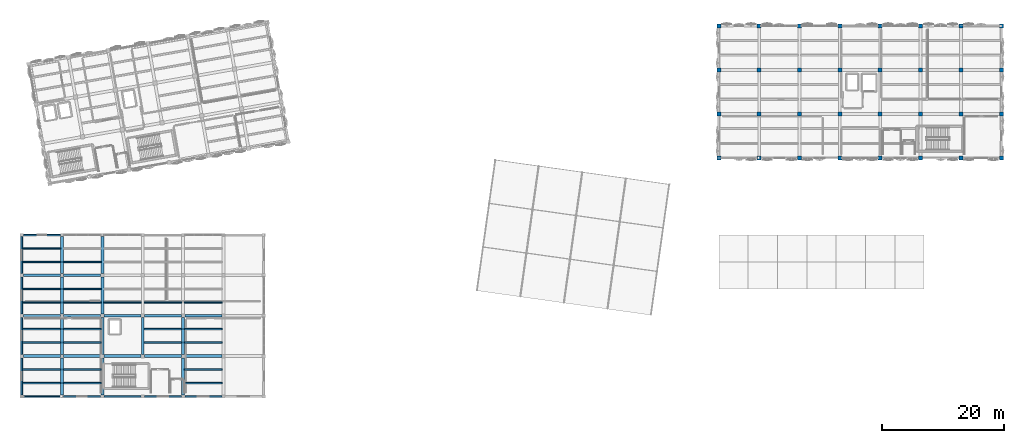
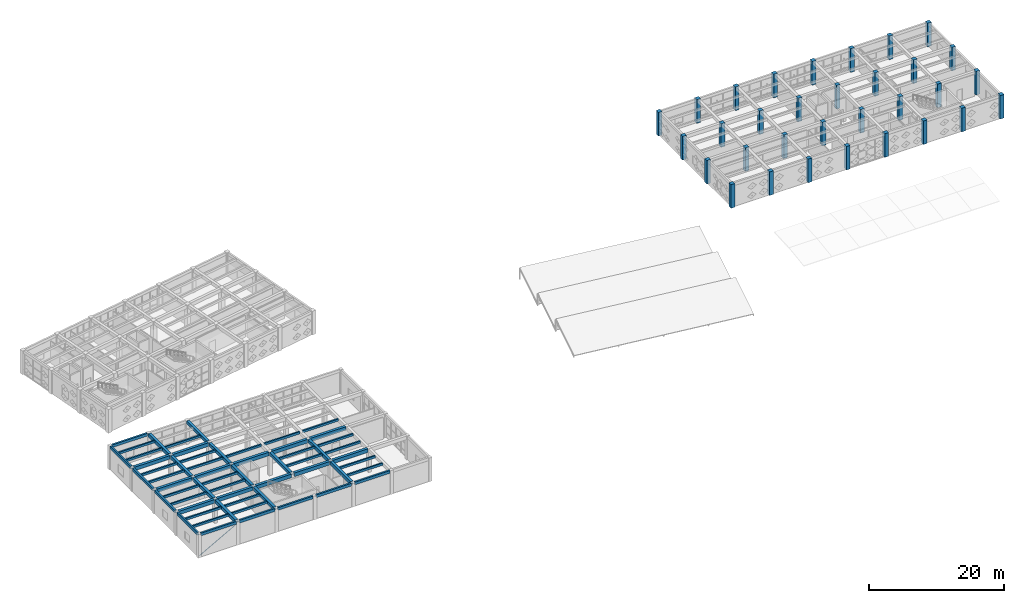
# One storey, part 4 of 48: 57 beams, 32 columns, 1 member.
"""IFC4 building model written with IfcOpenShell, lengths in metres."""

from ifc_helpers import new_model, si_unit, direction, frame, origin, origin_2d, place, context, subcontext, project, spatial, rectangle, hollow_circle, extrude, material, material_profile, profile_set, type_object, element, save


model = new_model("IFC4")

# Units and contexts
model_context = context("Model", 3, precision=1e-05, world=origin(), true_north=direction((0.0, 1.0)))
body_context = subcontext(model_context, "Body", "Model", "MODEL_VIEW")
ifc_project = project(units=[si_unit("LENGTHUNIT", "METRE"), si_unit("AREAUNIT", "SQUARE_METRE"), si_unit("VOLUMEUNIT", "CUBIC_METRE"), si_unit("PLANEANGLEUNIT", "RADIAN"), si_unit("MASSUNIT", "GRAM", prefix="KILO")], contexts=[model_context])

# Site, building, storey
site_placement = place(None, origin())
site = spatial("IfcSite", under=ifc_project, at=site_placement, CompositionType="ELEMENT")
building_placement = place(site_placement, origin())
building = spatial("IfcBuilding", under=site, at=building_placement, Name="Kharisveld Research Institute", CompositionType="ELEMENT")
storey_placement = place(building_placement, frame((0.0, 0.0, 14.10009765625)))
storey = spatial("IfcBuildingStorey", under=building, at=storey_placement, Name="L03", CompositionType="ELEMENT", Elevation=14.10009765625)

# Columns
ifc_material_1 = material(Name="Concrete C40/50", Category="concrete")
ifc_material_profile_1 = material_profile(ifc_material_1, rectangle(XDim=0.64990234375, YDim=0.64990234375, at=origin_2d()))
ifc_profile_set_1 = profile_set([ifc_material_profile_1], Name="Concrete C40/50")
column_type = type_object("IfcColumnType", Name="COL_RC_650", PredefinedType="COLUMN", material=ifc_profile_set_1)
for number, where, z_axis, x_axis, name in (
    (1, (114.60009765625, 39.199951171875, 0.0), (0.0, 0.0, 1.0), (1.0, 0.0, 0.0), "COL:V2:L03:U0V0"),
    (2, (114.60009765625, 46.39990234375, 0.0), (0.0, 0.0, 1.0), (1.0, 0.0, 0.0), "COL:V2:L03:U0V1"),
    (3, (114.60009765625, 53.60009765625, 0.0), (0.0, 0.0, 1.0), (1.0, 0.0, 0.0), "COL:V2:L03:U0V2"),
    (4, (114.60009765625, 60.800048828125, 0.0), (0.0, 0.0, 1.0), (1.0, 0.0, 0.0), "COL:V2:L03:U0V3"),
    (5, (121.199951171875, 39.199951171875, 0.0), (0.0, 0.0, 1.0), (1.0, 0.0, 0.0), "COL:V2:L03:U1V0"),
    (6, (121.199951171875, 46.39990234375, 0.0), (0.0, 0.0, 1.0), (1.0, 0.0, 0.0), "COL:V2:L03:U1V1"),
    (7, (121.199951171875, 53.60009765625, 0.0), (0.0, 0.0, 1.0), (1.0, 0.0, 0.0), "COL:V2:L03:U1V2"),
    (8, (121.199951171875, 60.800048828125, 0.0), (0.0, 0.0, 1.0), (1.0, 0.0, 0.0), "COL:V2:L03:U1V3"),
    (9, (127.800048828125, 39.199951171875, 0.0), (0.0, 0.0, 1.0), (1.0, 0.0, 0.0), "COL:V2:L03:U2V0"),
    (10, (127.800048828125, 46.39990234375, 0.0), (0.0, 0.0, 1.0), (1.0, 0.0, 0.0), "COL:V2:L03:U2V1"),
    (11, (127.800048828125, 53.60009765625, 0.0), (0.0, 0.0, 1.0), (1.0, 0.0, 0.0), "COL:V2:L03:U2V2"),
    (12, (127.800048828125, 60.800048828125, 0.0), (0.0, 0.0, 1.0), (1.0, 0.0, 0.0), "COL:V2:L03:U2V3"),
    (13, (134.39990234375, 39.199951171875, 0.0), (0.0, 0.0, 1.0), (1.0, 0.0, 0.0), "COL:V2:L03:U3V0"),
    (14, (134.39990234375, 46.39990234375, 0.0), (0.0, 0.0, 1.0), (1.0, 0.0, 0.0), "COL:V2:L03:U3V1"),
    (15, (134.39990234375, 53.60009765625, 0.0), (0.0, 0.0, 1.0), (1.0, 0.0, 0.0), "COL:V2:L03:U3V2"),
    (16, (134.39990234375, 60.800048828125, 0.0), (0.0, 0.0, 1.0), (1.0, 0.0, 0.0), "COL:V2:L03:U3V3"),
    (17, (141.0, 39.199951171875, 0.0), (0.0, 0.0, 1.0), (1.0, 0.0, 0.0), "COL:V2:L03:U4V0"),
    (18, (141.0, 46.39990234375, 0.0), (0.0, 0.0, 1.0), (1.0, 0.0, 0.0), "COL:V2:L03:U4V1"),
    (19, (141.0, 53.60009765625, 0.0), (0.0, 0.0, 1.0), (1.0, 0.0, 0.0), "COL:V2:L03:U4V2"),
    (20, (141.0, 60.800048828125, 0.0), (0.0, 0.0, 1.0), (1.0, 0.0, 0.0), "COL:V2:L03:U4V3"),
    (21, (147.60009765625, 39.199951171875, 0.0), (0.0, 0.0, 1.0), (1.0, 0.0, 0.0), "COL:V2:L03:U5V0"),
    (22, (147.60009765625, 46.39990234375, 0.0), (0.0, 0.0, 1.0), (1.0, 0.0, 0.0), "COL:V2:L03:U5V1"),
    (23, (147.60009765625, 53.60009765625, 0.0), (0.0, 0.0, 1.0), (1.0, 0.0, 0.0), "COL:V2:L03:U5V2"),
    (24, (147.60009765625, 60.800048828125, 0.0), (0.0, 0.0, 1.0), (1.0, 0.0, 0.0), "COL:V2:L03:U5V3"),
    (25, (154.199951171875, 39.199951171875, 0.0), (0.0, 0.0, 1.0), (1.0, 0.0, 0.0), "COL:V2:L03:U6V0"),
    (26, (154.199951171875, 46.39990234375, 0.0), (0.0, 0.0, 1.0), (1.0, 0.0, 0.0), "COL:V2:L03:U6V1"),
    (27, (154.199951171875, 53.60009765625, 0.0), (0.0, 0.0, 1.0), (1.0, 0.0, 0.0), "COL:V2:L03:U6V2"),
    (28, (154.199951171875, 60.800048828125, 0.0), (0.0, 0.0, 1.0), (1.0, 0.0, 0.0), "COL:V2:L03:U6V3"),
    (29, (160.800048828125, 39.199951171875, 0.0), (0.0, 0.0, 1.0), (1.0, 0.0, 0.0), "COL:V2:L03:U7V0"),
    (30, (160.800048828125, 46.39990234375, 0.0), (0.0, 0.0, 1.0), (1.0, 0.0, 0.0), "COL:V2:L03:U7V1"),
    (31, (160.800048828125, 53.60009765625, 0.0), (0.0, 0.0, 1.0), (1.0, 0.0, 0.0), "COL:V2:L03:U7V2"),
    (32, (160.800048828125, 60.800048828125, 0.0), (0.0, 0.0, 1.0), (1.0, 0.0, 0.0), "COL:V2:L03:U7V3"),
):
    element("IfcColumn", number, at=place(storey_placement, frame(where, z_axis=z_axis, x_axis=x_axis)), inside=storey, type_object=column_type, Name=name, PredefinedType="COLUMN", context=body_context, shape_type="SweptSolid", body=[
        extrude(rectangle(XDim=0.64990234375, YDim=0.64990234375, at=origin_2d()), origin(), (0.0, 0.0, 1.0), 4.289794921875),
    ])

# Beams
ifc_material_2 = material(Name="Concrete C40/50", Category="concrete")
ifc_material_profile_2 = material_profile(ifc_material_2, rectangle(XDim=0.449951171875, YDim=0.60009765625, at=origin_2d()))
ifc_profile_set_2 = profile_set([ifc_material_profile_2], Name="Concrete C40/50")
beam_type_1 = type_object("IfcBeamType", Name="BM_RC_450x600", PredefinedType="BEAM", material=ifc_profile_set_2)
beam_1_placement = place(storey_placement, frame((7.199951171875, 0.47509765625, 4.0), z_axis=(0.0, 1.0, 0.0), x_axis=(-1.0, 0.0, 0.0)))
element("IfcBeam", 33, at=beam_1_placement, inside=storey, type_object=beam_type_1, Name="BM:V3:L03:V1_0", PredefinedType="BEAM", context=body_context, shape_type="SweptSolid", body=[
    extrude(rectangle(XDim=0.449951171875, YDim=0.60009765625, at=origin_2d()), origin(), (0.0, 0.0, 1.0), 6.0498046875),
])
for number, where, z_axis, x_axis, name in (
    (34, (7.199951171875, 7.074951171875, 4.0), (0.0, 1.0, 0.0), (-1.0, 0.0, 0.0), "BM:V3:L03:V1_1"),
    (35, (7.199951171875, 13.675048828125, 4.0), (0.0, 1.0, 0.0), (-1.0, 0.0, 0.0), "BM:V3:L03:V1_2"),
    (36, (7.199951171875, 20.27490234375, 4.0), (0.0, 1.0, 0.0), (-1.0, 0.0, 0.0), "BM:V3:L03:V1_3"),
):
    element("IfcBeam", number, at=place(storey_placement, frame(where, z_axis=z_axis, x_axis=x_axis)), inside=storey, type_object=beam_type_1, Name=name, PredefinedType="BEAM", context=body_context, shape_type="SweptSolid", body=[
        extrude(rectangle(XDim=0.449951171875, YDim=0.60009765625, at=origin_2d()), origin(), (0.0, 0.0, 1.0), 6.050048828125),
    ])
beam_2_placement = place(storey_placement, frame((13.800048828125, 0.47509765625, 4.0), z_axis=(0.0, 1.0, 0.0), x_axis=(-1.0, 0.0, 0.0)))
element("IfcBeam", 37, at=beam_2_placement, inside=storey, type_object=beam_type_1, Name="BM:V3:L03:V2_0", PredefinedType="BEAM", context=body_context, shape_type="SweptSolid", body=[
    extrude(rectangle(XDim=0.449951171875, YDim=0.60009765625, at=origin_2d()), origin(), (0.0, 0.0, 1.0), 6.0498046875),
])
for number, where, z_axis, x_axis, name in (
    (38, (13.800048828125, 7.074951171875, 4.0), (0.0, 1.0, 0.0), (-1.0, 0.0, 0.0), "BM:V3:L03:V2_1"),
    (39, (13.800048828125, 13.675048828125, 4.0), (0.0, 1.0, 0.0), (-1.0, 0.0, 0.0), "BM:V3:L03:V2_2"),
    (40, (13.800048828125, 20.27490234375, 4.0), (0.0, 1.0, 0.0), (-1.0, 0.0, 0.0), "BM:V3:L03:V2_3"),
    (41, (20.39990234375, 7.074951171875, 4.0), (0.0, 1.0, 0.0), (-1.0, 0.0, 0.0), "BM:V3:L03:V3_1"),
):
    element("IfcBeam", number, at=place(storey_placement, frame(where, z_axis=z_axis, x_axis=x_axis)), inside=storey, type_object=beam_type_1, Name=name, PredefinedType="BEAM", context=body_context, shape_type="SweptSolid", body=[
        extrude(rectangle(XDim=0.449951171875, YDim=0.60009765625, at=origin_2d()), origin(), (0.0, 0.0, 1.0), 6.050048828125),
    ])
beam_3_placement = place(storey_placement, frame((27.0, 0.47509765625, 4.0), z_axis=(0.0, 1.0, 0.0), x_axis=(-1.0, 0.0, 0.0)))
element("IfcBeam", 42, at=beam_3_placement, inside=storey, type_object=beam_type_1, Name="BM:V3:L03:V4_0", PredefinedType="BEAM", context=body_context, shape_type="SweptSolid", body=[
    extrude(rectangle(XDim=0.449951171875, YDim=0.60009765625, at=origin_2d()), origin(), (0.0, 0.0, 1.0), 6.0498046875),
])
beam_4_placement = place(storey_placement, frame((27.0, 7.074951171875, 4.0), z_axis=(0.0, 1.0, 0.0), x_axis=(-1.0, 0.0, 0.0)))
element("IfcBeam", 43, at=beam_4_placement, inside=storey, type_object=beam_type_1, Name="BM:V3:L03:V4_1", PredefinedType="BEAM", context=body_context, shape_type="SweptSolid", body=[
    extrude(rectangle(XDim=0.449951171875, YDim=0.60009765625, at=origin_2d()), origin(), (0.0, 0.0, 1.0), 6.050048828125),
])
ifc_material_3 = material(Name="Concrete C40/50", Category="concrete")
ifc_material_profile_3 = material_profile(ifc_material_3, rectangle(XDim=0.449951171875, YDim=0.64990234375, at=origin_2d()))
ifc_profile_set_3 = profile_set([ifc_material_profile_3], Name="Concrete C40/50")
beam_type_2 = type_object("IfcBeamType", Name="BM_RC_450x650", PredefinedType="BEAM", material=ifc_profile_set_3)
beam_5_placement = place(storey_placement, frame((0.875, 6.800048828125, 3.974853515625), z_axis=(1.0, 0.0, 0.0), x_axis=(0.0, 1.0, 0.0)))
element("IfcBeam", 44, at=beam_5_placement, inside=storey, type_object=beam_type_2, Name="BM:V3:L03:U0_1", PredefinedType="BEAM", context=body_context, shape_type="SweptSolid", body=[
    extrude(rectangle(XDim=0.449951171875, YDim=0.64990234375, at=origin_2d()), origin(), (0.0, 0.0, 1.0), 6.050048828125),
])
beam_6_placement = place(storey_placement, frame((7.47509765625, 6.800048828125, 3.974853515625), z_axis=(1.0, 0.0, 0.0), x_axis=(0.0, 1.0, 0.0)))
element("IfcBeam", 45, at=beam_6_placement, inside=storey, type_object=beam_type_2, Name="BM:V3:L03:U1_1", PredefinedType="BEAM", context=body_context, shape_type="SweptSolid", body=[
    extrude(rectangle(XDim=0.449951171875, YDim=0.64990234375, at=origin_2d()), origin(), (0.0, 0.0, 1.0), 6.0498046875),
])
for number, where, z_axis, x_axis, name in (
    (46, (14.074951171875, 6.800048828125, 3.974853515625), (1.0, 0.0, 0.0), (0.0, 1.0, 0.0), "BM:V3:L03:U2_1"),
    (47, (20.675048828125, 6.800048828125, 3.974853515625), (1.0, 0.0, 0.0), (0.0, 1.0, 0.0), "BM:V3:L03:U3_1"),
    (48, (27.27490234375, 6.800048828125, 3.974853515625), (1.0, 0.0, 0.0), (0.0, 1.0, 0.0), "BM:V3:L03:U4_1"),
    (49, (0.875, 13.39990234375, 3.974853515625), (1.0, 0.0, 0.0), (0.0, 1.0, 0.0), "BM:V3:L03:U0_2"),
):
    element("IfcBeam", number, at=place(storey_placement, frame(where, z_axis=z_axis, x_axis=x_axis)), inside=storey, type_object=beam_type_2, Name=name, PredefinedType="BEAM", context=body_context, shape_type="SweptSolid", body=[
        extrude(rectangle(XDim=0.449951171875, YDim=0.64990234375, at=origin_2d()), origin(), (0.0, 0.0, 1.0), 6.050048828125),
    ])
beam_7_placement = place(storey_placement, frame((7.47509765625, 13.39990234375, 3.974853515625), z_axis=(1.0, 0.0, 0.0), x_axis=(0.0, 1.0, 0.0)))
element("IfcBeam", 50, at=beam_7_placement, inside=storey, type_object=beam_type_2, Name="BM:V3:L03:U1_2", PredefinedType="BEAM", context=body_context, shape_type="SweptSolid", body=[
    extrude(rectangle(XDim=0.449951171875, YDim=0.64990234375, at=origin_2d()), origin(), (0.0, 0.0, 1.0), 6.0498046875),
])
for number, where, z_axis, x_axis, name in (
    (51, (14.074951171875, 13.39990234375, 3.974853515625), (1.0, 0.0, 0.0), (0.0, 1.0, 0.0), "BM:V3:L03:U2_2"),
    (52, (20.675048828125, 13.39990234375, 3.974853515625), (1.0, 0.0, 0.0), (0.0, 1.0, 0.0), "BM:V3:L03:U3_2"),
    (53, (27.27490234375, 13.39990234375, 3.974853515625), (1.0, 0.0, 0.0), (0.0, 1.0, 0.0), "BM:V3:L03:U4_2"),
    (54, (0.875, 20.0, 3.974853515625), (1.0, 0.0, 0.0), (0.0, 1.0, 0.0), "BM:V3:L03:U0_3"),
):
    element("IfcBeam", number, at=place(storey_placement, frame(where, z_axis=z_axis, x_axis=x_axis)), inside=storey, type_object=beam_type_2, Name=name, PredefinedType="BEAM", context=body_context, shape_type="SweptSolid", body=[
        extrude(rectangle(XDim=0.449951171875, YDim=0.64990234375, at=origin_2d()), origin(), (0.0, 0.0, 1.0), 6.050048828125),
    ])
beam_8_placement = place(storey_placement, frame((7.47509765625, 20.0, 3.974853515625), z_axis=(1.0, 0.0, 0.0), x_axis=(0.0, 1.0, 0.0)))
element("IfcBeam", 55, at=beam_8_placement, inside=storey, type_object=beam_type_2, Name="BM:V3:L03:U1_3", PredefinedType="BEAM", context=body_context, shape_type="SweptSolid", body=[
    extrude(rectangle(XDim=0.449951171875, YDim=0.64990234375, at=origin_2d()), origin(), (0.0, 0.0, 1.0), 6.0498046875),
])

# Member
ifc_material_4 = material(Name="Steel S355J2H", Category="steel")
ifc_material_profile_4 = material_profile(ifc_material_4, hollow_circle(Radius=0.06982421875, WallThickness=0.00634765625, at=origin_2d()))
ifc_profile_set_4 = profile_set([ifc_material_profile_4], Name="Steel S355J2H")
member_type = type_object("IfcMemberType", Name="BR_CHS140", PredefinedType="BRACE", material=ifc_profile_set_4)
member_placement = place(storey_placement, frame((0.699951171875, 0.199951171875, 0.199951171875), z_axis=(0.874481220931, 0.0, 0.48505937187), x_axis=(0.0, 1.0, 0.0)))
element("IfcMember", 56, at=member_placement, inside=storey, type_object=member_type, Name="MEM:V3:L03:BR_0_0", PredefinedType="BRACE", context=body_context, shape_type="SweptSolid", body=[
    extrude(hollow_circle(Radius=0.06982421875, WallThickness=0.00634765625, at=origin_2d()), origin(), (0.0, 0.0, 1.0), 7.31884765625),
])

# Beams
ifc_material_5 = material(Name="Concrete C40/50", Category="concrete")
ifc_material_profile_5 = material_profile(ifc_material_5, rectangle(XDim=0.300048828125, YDim=0.5, at=origin_2d()))
ifc_profile_set_5 = profile_set([ifc_material_profile_5], Name="Concrete C40/50")
beam_type_3 = type_object("IfcBeamType", Name="SP_RC_300x500", PredefinedType="SPANDREL", material=ifc_profile_set_5)
beam_9_placement = place(storey_placement, frame((0.875, 0.199951171875, 4.0498046875), z_axis=(1.0, 0.0, 0.0), x_axis=(0.0, 1.0, 0.0)))
element("IfcBeam", 57, at=beam_9_placement, inside=storey, type_object=beam_type_3, Name="BM:V3:L03:U0_0", PredefinedType="SPANDREL", context=body_context, shape_type="SweptSolid", body=[
    extrude(rectangle(XDim=0.300048828125, YDim=0.5, at=origin_2d()), origin(), (0.0, 0.0, 1.0), 6.050048828125),
])
beam_10_placement = place(storey_placement, frame((7.47509765625, 0.199951171875, 4.0498046875), z_axis=(1.0, 0.0, 0.0), x_axis=(0.0, 1.0, 0.0)))
element("IfcBeam", 58, at=beam_10_placement, inside=storey, type_object=beam_type_3, Name="BM:V3:L03:U1_0", PredefinedType="SPANDREL", context=body_context, shape_type="SweptSolid", body=[
    extrude(rectangle(XDim=0.300048828125, YDim=0.5, at=origin_2d()), origin(), (0.0, 0.0, 1.0), 6.0498046875),
])
for number, where, z_axis, x_axis, name in (
    (59, (14.074951171875, 0.199951171875, 4.0498046875), (1.0, 0.0, 0.0), (0.0, 1.0, 0.0), "BM:V3:L03:U2_0"),
    (60, (20.675048828125, 0.199951171875, 4.0498046875), (1.0, 0.0, 0.0), (0.0, 1.0, 0.0), "BM:V3:L03:U3_0"),
    (61, (27.27490234375, 0.199951171875, 4.0498046875), (1.0, 0.0, 0.0), (0.0, 1.0, 0.0), "BM:V3:L03:U4_0"),
    (62, (0.875, 26.60009765625, 4.0498046875), (1.0, 0.0, 0.0), (0.0, 1.0, 0.0), "BM:V3:L03:U0_4"),
):
    element("IfcBeam", number, at=place(storey_placement, frame(where, z_axis=z_axis, x_axis=x_axis)), inside=storey, type_object=beam_type_3, Name=name, PredefinedType="SPANDREL", context=body_context, shape_type="SweptSolid", body=[
        extrude(rectangle(XDim=0.300048828125, YDim=0.5, at=origin_2d()), origin(), (0.0, 0.0, 1.0), 6.050048828125),
    ])
beam_11_placement = place(storey_placement, frame((0.60009765625, 0.47509765625, 4.0498046875), z_axis=(0.0, 1.0, 0.0), x_axis=(-1.0, 0.0, 0.0)))
element("IfcBeam", 63, at=beam_11_placement, inside=storey, type_object=beam_type_3, Name="BM:V3:L03:V0_0", PredefinedType="SPANDREL", context=body_context, shape_type="SweptSolid", body=[
    extrude(rectangle(XDim=0.300048828125, YDim=0.5, at=origin_2d()), origin(), (0.0, 0.0, 1.0), 6.0498046875),
])
for number, where, z_axis, x_axis, name in (
    (64, (0.60009765625, 7.074951171875, 4.0498046875), (0.0, 1.0, 0.0), (-1.0, 0.0, 0.0), "BM:V3:L03:V0_1"),
    (65, (0.60009765625, 13.675048828125, 4.0498046875), (0.0, 1.0, 0.0), (-1.0, 0.0, 0.0), "BM:V3:L03:V0_2"),
    (66, (0.60009765625, 20.27490234375, 4.0498046875), (0.0, 1.0, 0.0), (-1.0, 0.0, 0.0), "BM:V3:L03:V0_3"),
):
    element("IfcBeam", number, at=place(storey_placement, frame(where, z_axis=z_axis, x_axis=x_axis)), inside=storey, type_object=beam_type_3, Name=name, PredefinedType="SPANDREL", context=body_context, shape_type="SweptSolid", body=[
        extrude(rectangle(XDim=0.300048828125, YDim=0.5, at=origin_2d()), origin(), (0.0, 0.0, 1.0), 6.050048828125),
    ])
ifc_material_6 = material(Name="Concrete C40/50", Category="concrete")
ifc_material_profile_6 = material_profile(ifc_material_6, rectangle(XDim=0.25, YDim=0.39990234375, at=origin_2d()))
ifc_profile_set_6 = profile_set([ifc_material_profile_6], Name="Concrete C40/50")
beam_type_4 = type_object("IfcBeamType", Name="WB_RC_250x400", PredefinedType="JOIST", material=ifc_profile_set_6)
for number, where, z_axis, x_axis, name in (
    (67, (0.75, 2.39990234375, 4.099853515625), (1.0, 0.0, 0.0), (0.0, 1.0, 0.0), "BM:V3:L03:J_0_0_R1"),
    (68, (0.75, 4.60009765625, 4.099853515625), (1.0, 0.0, 0.0), (0.0, 1.0, 0.0), "BM:V3:L03:J_0_0_R2"),
    (69, (0.75, 9.0, 4.099853515625), (1.0, 0.0, 0.0), (0.0, 1.0, 0.0), "BM:V3:L03:J_0_1_R1"),
    (70, (0.75, 11.199951171875, 4.099853515625), (1.0, 0.0, 0.0), (0.0, 1.0, 0.0), "BM:V3:L03:J_0_1_R2"),
    (71, (0.75, 15.60009765625, 4.099853515625), (1.0, 0.0, 0.0), (0.0, 1.0, 0.0), "BM:V3:L03:J_0_2_R1"),
    (72, (0.75, 17.800048828125, 4.099853515625), (1.0, 0.0, 0.0), (0.0, 1.0, 0.0), "BM:V3:L03:J_0_2_R2"),
    (73, (0.75, 22.199951171875, 4.099853515625), (1.0, 0.0, 0.0), (0.0, 1.0, 0.0), "BM:V3:L03:J_0_3_R1"),
    (74, (0.75, 24.39990234375, 4.099853515625), (1.0, 0.0, 0.0), (0.0, 1.0, 0.0), "BM:V3:L03:J_0_3_R2"),
):
    element("IfcBeam", number, at=place(storey_placement, frame(where, z_axis=z_axis, x_axis=x_axis)), inside=storey, type_object=beam_type_4, Name=name, PredefinedType="JOIST", context=body_context, shape_type="SweptSolid", body=[
        extrude(rectangle(XDim=0.25, YDim=0.39990234375, at=origin_2d()), origin(), (0.0, 0.0, 1.0), 6.22509765625),
    ])
for number, where, z_axis, x_axis, name in (
    (75, (7.425048828125, 2.39990234375, 4.099853515625), (1.0, 0.0, 0.0), (0.0, 1.0, 0.0), "BM:V3:L03:J_1_0_R1"),
    (76, (7.425048828125, 4.60009765625, 4.099853515625), (1.0, 0.0, 0.0), (0.0, 1.0, 0.0), "BM:V3:L03:J_1_0_R2"),
    (77, (7.425048828125, 9.0, 4.099853515625), (1.0, 0.0, 0.0), (0.0, 1.0, 0.0), "BM:V3:L03:J_1_1_R1"),
    (78, (7.425048828125, 11.199951171875, 4.099853515625), (1.0, 0.0, 0.0), (0.0, 1.0, 0.0), "BM:V3:L03:J_1_1_R2"),
    (79, (7.425048828125, 15.60009765625, 4.099853515625), (1.0, 0.0, 0.0), (0.0, 1.0, 0.0), "BM:V3:L03:J_1_2_R1"),
    (80, (7.425048828125, 17.800048828125, 4.099853515625), (1.0, 0.0, 0.0), (0.0, 1.0, 0.0), "BM:V3:L03:J_1_2_R2"),
    (81, (7.425048828125, 22.199951171875, 4.099853515625), (1.0, 0.0, 0.0), (0.0, 1.0, 0.0), "BM:V3:L03:J_1_3_R1"),
):
    element("IfcBeam", number, at=place(storey_placement, frame(where, z_axis=z_axis, x_axis=x_axis)), inside=storey, type_object=beam_type_4, Name=name, PredefinedType="JOIST", context=body_context, shape_type="SweptSolid", body=[
        extrude(rectangle(XDim=0.25, YDim=0.39990234375, at=origin_2d()), origin(), (0.0, 0.0, 1.0), 6.14990234375),
    ])
beam_12_placement = place(storey_placement, frame((14.02490234375, 15.60009765625, 4.099853515625), z_axis=(1.0, 0.0, 0.0), x_axis=(0.0, 1.0, 0.0)))
element("IfcBeam", 82, at=beam_12_placement, inside=storey, type_object=beam_type_4, Name="BM:V3:L03:J_2_2_R1", PredefinedType="JOIST", context=body_context, shape_type="SweptSolid", body=[
    extrude(rectangle(XDim=0.25, YDim=0.39990234375, at=origin_2d()), origin(), (0.0, 0.0, 1.0), 6.150146484375),
])
for number, where, z_axis, x_axis, name in (
    (83, (20.625, 9.0, 4.099853515625), (1.0, 0.0, 0.0), (0.0, 1.0, 0.0), "BM:V3:L03:J_3_1_R1"),
    (84, (20.625, 11.199951171875, 4.099853515625), (1.0, 0.0, 0.0), (0.0, 1.0, 0.0), "BM:V3:L03:J_3_1_R2"),
    (85, (20.625, 15.60009765625, 4.099853515625), (1.0, 0.0, 0.0), (0.0, 1.0, 0.0), "BM:V3:L03:J_3_2_R1"),
    (86, (27.22509765625, 2.39990234375, 4.099853515625), (1.0, 0.0, 0.0), (0.0, 1.0, 0.0), "BM:V3:L03:J_4_0_R1"),
    (87, (27.22509765625, 4.60009765625, 4.099853515625), (1.0, 0.0, 0.0), (0.0, 1.0, 0.0), "BM:V3:L03:J_4_0_R2"),
    (88, (27.22509765625, 9.0, 4.099853515625), (1.0, 0.0, 0.0), (0.0, 1.0, 0.0), "BM:V3:L03:J_4_1_R1"),
    (89, (27.22509765625, 11.199951171875, 4.099853515625), (1.0, 0.0, 0.0), (0.0, 1.0, 0.0), "BM:V3:L03:J_4_1_R2"),
    (90, (27.22509765625, 15.60009765625, 4.099853515625), (1.0, 0.0, 0.0), (0.0, 1.0, 0.0), "BM:V3:L03:J_4_2_R1"),
):
    element("IfcBeam", number, at=place(storey_placement, frame(where, z_axis=z_axis, x_axis=x_axis)), inside=storey, type_object=beam_type_4, Name=name, PredefinedType="JOIST", context=body_context, shape_type="SweptSolid", body=[
        extrude(rectangle(XDim=0.25, YDim=0.39990234375, at=origin_2d()), origin(), (0.0, 0.0, 1.0), 6.14990234375),
    ])

save(model, "model.ifc")
